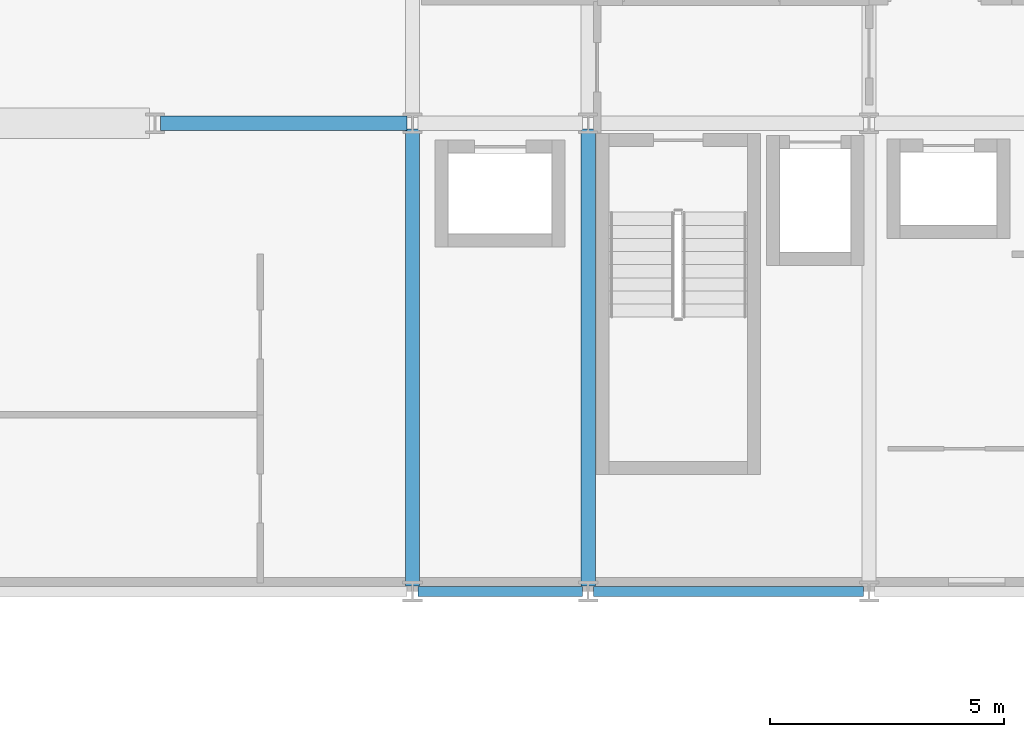
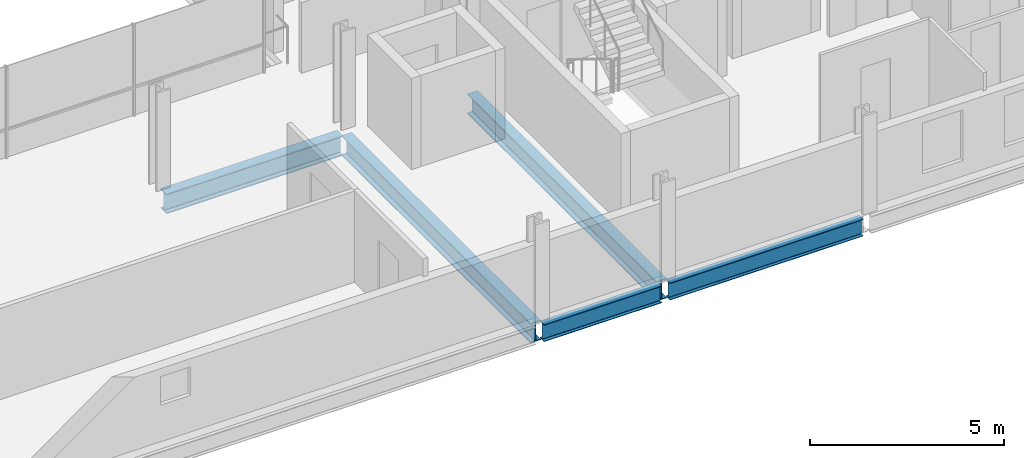
# One storey, part 12 of 41: 5 beams.
"""IFC4 building model written with IfcOpenShell, lengths in metres."""

import ifcopenshell
import ifcopenshell.guid

model = None  # the IFC model being written
_history = None  # IfcOwnerHistory: only IFC2X3 demands one
_inside = {}  # id of a spatial element -> (the spatial element, [elements in it])
_under = {}  # id of a project, library or spatial element -> (it, [spatial elements below it])
_declared = {}  # id of a project -> (the project, [libraries it declares])
_typed = {}  # id of a type object -> (the type object, [elements of that type])
_made_of = {}  # id of a material, layer set ... -> (it, [elements and type objects made of it])


def new_model(schema):
    """Start an empty IFC model of exactly this schema.

    Asked for "IFC4X3", IfcOpenShell would pick the latest addendum, in which some entities
    have other attributes; the version numbers below select the first issue.
    IFC2X3 requires an IfcOwnerHistory on every rooted entity: one is made here for all.
    """
    global model, _history
    if schema == "IFC4X3":
        model = ifcopenshell.file(schema_version=(4, 3, 0, 0))
    else:
        model = ifcopenshell.file(schema=schema)
    _inside.clear()
    _under.clear()
    _declared.clear()
    _typed.clear()
    _made_of.clear()
    _history = None
    if model.schema == "IFC2X3":
        org = make("IfcOrganization", Name="unknown")
        user = make(
            "IfcPersonAndOrganization",
            ThePerson=make("IfcPerson", FamilyName="unknown"),
            TheOrganization=org,
        )
        app = make(
            "IfcApplication",
            ApplicationDeveloper=org,
            Version="unknown",
            ApplicationFullName="unknown",
            ApplicationIdentifier="unknown",
        )
        _history = make(
            "IfcOwnerHistory",
            OwningUser=user,
            OwningApplication=app,
            ChangeAction="ADDED",
            CreationDate=0,
        )
    return model


def make(cls, **values):
    """One entity of the class cls with the attributes given. An attribute that is None is left unset."""
    return model.create_entity(
        cls, **{name: value for name, value in values.items() if value is not None}
    )


def rooted(cls, **values):
    """An entity with a GlobalId (a new one), such as an element, a storey or a relation."""
    return make(cls, GlobalId=ifcopenshell.guid.new(), OwnerHistory=_history, **values)


def si_unit(unit_type, name, prefix=None):
    """IfcSIUnit, for example si_unit("LENGTHUNIT", "METRE", prefix="MILLI")."""
    return make("IfcSIUnit", UnitType=unit_type, Prefix=prefix, Name=name)


def assignment(units):
    """IfcUnitAssignment: the units of a project."""
    return None if units is None else make("IfcUnitAssignment", Units=units)


def point(xyz):
    """IfcCartesianPoint."""
    return None if xyz is None else make("IfcCartesianPoint", Coordinates=xyz)


def direction(xyz):
    """IfcDirection."""
    return None if xyz is None else make("IfcDirection", DirectionRatios=xyz)


def frame(location, z_axis=None, x_axis=None):
    """IfcAxis2Placement3D, a coordinate frame: its origin and axes. An axis left out is left unset."""
    return make(
        "IfcAxis2Placement3D",
        Location=point(location),
        Axis=direction(z_axis),
        RefDirection=direction(x_axis),
    )


def frame_2d(location, x_axis=None):
    """IfcAxis2Placement2D, a coordinate frame in the plane: its origin and x axis."""
    return make(
        "IfcAxis2Placement2D", Location=point(location), RefDirection=direction(x_axis)
    )


def origin():
    """The frame at (0, 0, 0) with its axes left unset."""
    return frame((0.0, 0.0, 0.0))


def origin_2d():
    """The frame at (0, 0) in the plane with its x axis left unset."""
    return frame_2d((0.0, 0.0))


def place(relative_to, where):
    """IfcLocalPlacement: puts the frame where relative to a parent placement (None: the world)."""
    return make(
        "IfcLocalPlacement", PlacementRelTo=relative_to, RelativePlacement=where
    )


def context(
    kind, dimensions, precision=None, world=None, true_north=None, identifier=None
):
    """IfcGeometricRepresentationContext, for example the 3D "Model" context."""
    return make(
        "IfcGeometricRepresentationContext",
        ContextIdentifier=identifier,
        ContextType=kind,
        CoordinateSpaceDimension=dimensions,
        Precision=precision,
        WorldCoordinateSystem=world,
        TrueNorth=true_north,
    )


def subcontext(parent, identifier, kind, view, scale=None):
    """IfcGeometricRepresentationSubContext, for example "Body" below "Model"."""
    return make(
        "IfcGeometricRepresentationSubContext",
        ContextIdentifier=identifier,
        ContextType=kind,
        ParentContext=parent,
        TargetScale=scale,
        TargetView=view,
    )


def project(units=None, contexts=None):
    """IfcProject with its units and contexts."""
    return rooted(
        "IfcProject",
        Name="project",
        RepresentationContexts=contexts,
        UnitsInContext=assignment(units),
    )


def spatial(cls, under=None, at=None, **own):
    """A site, building, storey or space (cls), placed at a placement, below another one or the project."""
    s = rooted(cls, ObjectPlacement=at, **own)
    if under is not None:
        _under.setdefault(under.id(), (under, []))[1].append(s)
    return s


def profile(cls, at=None, kind="AREA", **sizes):
    """A parametric profile (cls). Its sizes go by their IFC names, for example OverallWidth=200.0."""
    return make(cls, ProfileType=kind, Position=at, **sizes)


def i_section(**sizes):
    """IfcIShapeProfileDef."""
    return profile("IfcIShapeProfileDef", **sizes)


def extrude(swept, where, along, depth):
    """IfcExtrudedAreaSolid: the profile swept, set in the frame where, extruded along a direction by depth."""
    return make(
        "IfcExtrudedAreaSolid",
        SweptArea=swept,
        Position=where,
        ExtrudedDirection=direction(along),
        Depth=depth,
    )


def shape(context_of_items, identifier, shape_type, items):
    """IfcShapeRepresentation: the items that make up one representation, for example the "Body"."""
    return make(
        "IfcShapeRepresentation",
        ContextOfItems=context_of_items,
        RepresentationIdentifier=identifier,
        RepresentationType=shape_type,
        Items=items,
    )


def material(Name=None, Category=None):
    """IfcMaterial."""
    return make("IfcMaterial", Name=Name, Category=Category)


def material_profile(
    of_material, cross_section, Name=None, Category=None, Priority=None
):
    """IfcMaterialProfile: a cross section and its material."""
    return make(
        "IfcMaterialProfile",
        Name=Name,
        Material=of_material,
        Profile=cross_section,
        Priority=Priority,
        Category=Category,
    )


def profile_set(profiles, Name=None, composite=None):
    """IfcMaterialProfileSet."""
    return make(
        "IfcMaterialProfileSet",
        Name=Name,
        MaterialProfiles=profiles,
        CompositeProfile=composite,
    )


def made_of(thing, what):
    """Note that an element or type object is made of a material, layer set ...; save() writes the relation."""
    if what is not None:
        _made_of.setdefault(what.id(), (what, []))[1].append(thing)
    return thing


def type_object(cls, material=None, **own):
    """A type object (cls), such as IfcWallType, which elements share."""
    return made_of(rooted(cls, **own), material)


def element(
    cls,
    number,
    at=None,
    inside=None,
    cuts=None,
    type_object=None,
    material=None,
    context=None,
    identifier="Body",
    shape_type=None,
    held_by="IfcProductDefinitionShape",
    body=None,
    shapes=None,
    **own,
):
    """One element of the class cls, such as IfcWall. Its Tag is "e" and its number.

    at: its placement. inside: the storey or other place that contains it. cuts: it is an
    opening in that element (IfcRelVoidsElement). A single representation is given by context,
    identifier, shape_type and body (its items); several are given by shapes. held_by: the class
    of the entity that holds the representations. save() writes the other relations.
    """
    e = rooted(cls, Tag="e%d" % number, ObjectPlacement=at, **own)
    if body is not None:
        shapes = [shape(context, identifier, shape_type, body)]
    if shapes is not None:
        e.Representation = make(held_by, Representations=shapes)
    if inside is not None:
        _inside.setdefault(inside.id(), (inside, []))[1].append(e)
    if cuts is not None:
        rooted(
            "IfcRelVoidsElement", RelatingBuildingElement=cuts, RelatedOpeningElement=e
        )
    if type_object is not None:
        _typed.setdefault(type_object.id(), (type_object, []))[1].append(e)
    return made_of(e, material)


def aggregate(whole, parts):
    """IfcRelAggregates: a whole, such as a stair, and the parts it consists of."""
    return rooted("IfcRelAggregates", RelatingObject=whole, RelatedObjects=parts)


def save(model, path):
    """Write the relations noted so far, then the file.

    IfcRelAggregates (storeys below a building ...), IfcRelContainedInSpatialStructure (elements
    in a storey), IfcRelDefinesByType, IfcRelAssociatesMaterial and IfcRelDeclares: one each for
    every whole, place, type object, material and project.
    """
    for whole, parts in _under.values():
        aggregate(whole, parts)
    for where, things in _inside.values():
        rooted(
            "IfcRelContainedInSpatialStructure",
            RelatedElements=things,
            RelatingStructure=where,
        )
    for kind, things in _typed.values():
        rooted("IfcRelDefinesByType", RelatedObjects=things, RelatingType=kind)
    for what, things in _made_of.values():
        rooted("IfcRelAssociatesMaterial", RelatedObjects=things, RelatingMaterial=what)
    for by, libraries in _declared.values():
        rooted("IfcRelDeclares", RelatingContext=by, RelatedDefinitions=libraries)
    model.write(path)


model = new_model("IFC4")

# Units and contexts
model_context = context("Model", 3, precision=1e-05, world=origin(), true_north=direction((0.0, 1.0)))
body_context = subcontext(model_context, "Body", "Model", "MODEL_VIEW")
ifc_project = project(units=[si_unit("LENGTHUNIT", "METRE"), si_unit("AREAUNIT", "SQUARE_METRE"), si_unit("VOLUMEUNIT", "CUBIC_METRE"), si_unit("PLANEANGLEUNIT", "RADIAN"), si_unit("MASSUNIT", "GRAM", prefix="KILO")], contexts=[model_context])

# Site, building, storey
site_placement = place(None, origin())
site = spatial("IfcSite", under=ifc_project, at=site_placement, CompositionType="ELEMENT")
building_placement = place(site_placement, origin())
building = spatial("IfcBuilding", under=site, at=building_placement, Name="Brevholm Reach", CompositionType="ELEMENT")
storey_placement = place(building_placement, frame((0.0, 0.0, 74.5)))
storey = spatial("IfcBuildingStorey", under=building, at=storey_placement, Name="L21", CompositionType="ELEMENT", Elevation=74.5)

# Beams
ifc_material_1 = material(Name="Structural Steel S355J2", Category="steel")
ifc_material_profile_1 = material_profile(ifc_material_1, i_section(OverallWidth=0.210693359375, OverallDepth=0.53955078125, WebThickness=0.01171875, FlangeThickness=0.018798828125, FilletRadius=0.0126953125, at=origin_2d()), Name="UKB 533x210x109")
ifc_profile_set_1 = profile_set([ifc_material_profile_1], Name="Structural Steel S355J2")
beam_type_1 = type_object("IfcBeamType", Name="BM-SP539", PredefinedType="SPANDREL", material=ifc_profile_set_1)
beam_1_placement = place(storey_placement, frame((38.3701171875, 0.0, -0.499755859375), z_axis=(1.0, 0.0, 0.0), x_axis=(0.0, 1.0, 0.0)))
element("IfcBeam", 1, at=beam_1_placement, inside=storey, type_object=beam_type_1, Name="L21 SP-01B Framing Beam", PredefinedType="SPANDREL", context=body_context, shape_type="SweptSolid", body=[
    extrude(i_section(OverallWidth=0.210693359375, OverallDepth=0.53955078125, WebThickness=0.01171875, FlangeThickness=0.018798828125, FilletRadius=0.0126953125, at=origin_2d()), origin(), (0.0, 0.0, 1.0), 3.509765625),
])
beam_2_placement = place(storey_placement, frame((42.1201171875, 0.0, -0.499755859375), z_axis=(1.0, 0.0, 0.0), x_axis=(0.0, 1.0, 0.0)))
element("IfcBeam", 2, at=beam_2_placement, inside=storey, type_object=beam_type_1, Name="L21 SP-01B Framing Beam", PredefinedType="SPANDREL", context=body_context, shape_type="SweptSolid", body=[
    extrude(i_section(OverallWidth=0.210693359375, OverallDepth=0.53955078125, WebThickness=0.01171875, FlangeThickness=0.018798828125, FilletRadius=0.0126953125, at=origin_2d()), origin(), (0.0, 0.0, 1.0), 5.759765625),
])
ifc_material_2 = material(Name="Structural Steel S355J2", Category="steel")
ifc_material_profile_2 = material_profile(ifc_material_2, i_section(OverallWidth=0.30712890625, OverallDepth=0.6201171875, WebThickness=0.01416015625, FlangeThickness=0.023681640625, FilletRadius=0.0166015625, at=origin_2d()), Name="UKB 610x305x179")
ifc_profile_set_2 = profile_set([ifc_material_profile_2], Name="Structural Steel S355J2")
beam_type_2 = type_object("IfcBeamType", Name="BM-UKB610H", PredefinedType="USERDEFINED", material=ifc_profile_set_2)
beam_3_placement = place(storey_placement, frame((32.8701171875, 10.0, -0.5400390625), z_axis=(1.0, 0.0, 0.0), x_axis=(0.0, 1.0, 0.0)))
element("IfcBeam", 3, at=beam_3_placement, inside=storey, type_object=beam_type_2, Name="L21 G-06 Framing Beam", ObjectType="GIRDER", PredefinedType="USERDEFINED", context=body_context, shape_type="SweptSolid", body=[
    extrude(i_section(OverallWidth=0.30712890625, OverallDepth=0.6201171875, WebThickness=0.01416015625, FlangeThickness=0.023681640625, FilletRadius=0.0166015625, at=origin_2d()), origin(), (0.0, 0.0, 1.0), 5.259765625),
])
for number, where, z_axis, x_axis, name in (
    (4, (38.25, 0.1201171875, -0.5400390625), (0.0, 1.0, 0.0), (-1.0, 0.0, 0.0), "L21 G-06 Framing Beam"),
    (5, (42.0, 0.1201171875, -0.5400390625), (0.0, 1.0, 0.0), (-1.0, 0.0, 0.0), "L21 G-06 Framing Beam"),
):
    element("IfcBeam", number, at=place(storey_placement, frame(where, z_axis=z_axis, x_axis=x_axis)), inside=storey, type_object=beam_type_2, Name=name, ObjectType="GIRDER", PredefinedType="USERDEFINED", context=body_context, shape_type="SweptSolid", body=[
        extrude(i_section(OverallWidth=0.30712890625, OverallDepth=0.6201171875, WebThickness=0.01416015625, FlangeThickness=0.023681640625, FilletRadius=0.0166015625, at=origin_2d()), origin(), (0.0, 0.0, 1.0), 9.759765625),
    ])

save(model, "model.ifc")
